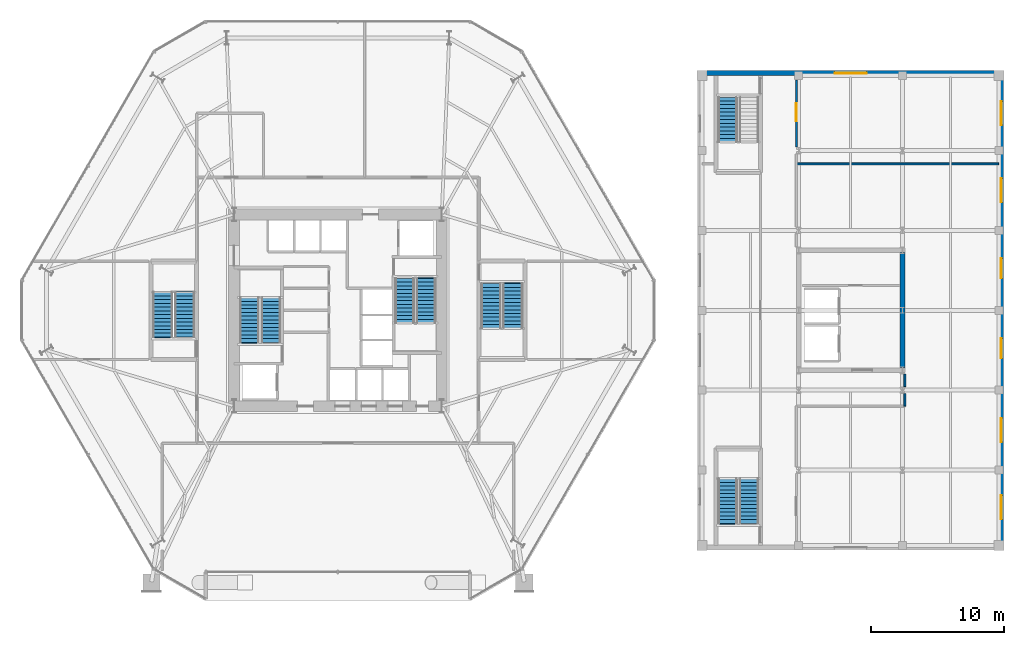
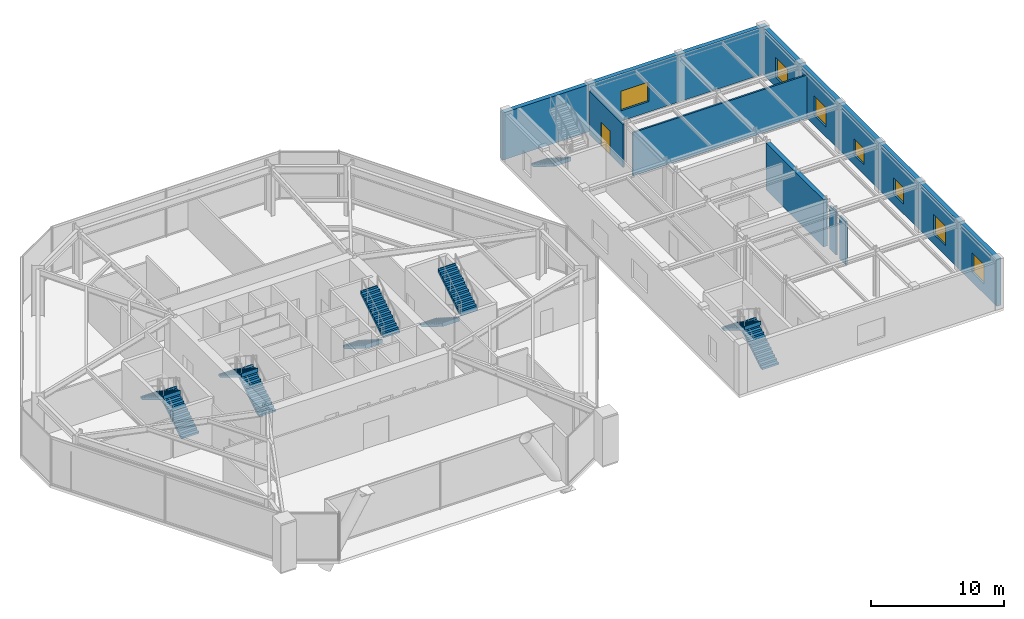
# One storey, part 18 of 23: 11 stair flights, 7 walls, 7 windows, 1 door, 8 openings, 6 elements without a shape of their own.
"""IFC4 building model written with IfcOpenShell, lengths in metres."""

from ifc_helpers import new_model, si_unit, direction, frame, frame_2d, origin, place, context, subcontext, project, spatial, polyline, rectangle, outline, extrude, material, layer, layer_set, type_object, element, fill, aggregate, save


model = new_model("IFC4")

# Units and contexts
model_context = context("Model", 3, precision=1e-05, world=origin(), true_north=direction((0.0, 1.0)))
body_context = subcontext(model_context, "Body", "Model", "MODEL_VIEW")
ifc_project = project(units=[si_unit("LENGTHUNIT", "METRE"), si_unit("AREAUNIT", "SQUARE_METRE"), si_unit("VOLUMEUNIT", "CUBIC_METRE"), si_unit("PLANEANGLEUNIT", "RADIAN"), si_unit("MASSUNIT", "GRAM", prefix="KILO")], contexts=[model_context])

# Site, building, storey
site_placement = place(None, origin())
site = spatial("IfcSite", under=ifc_project, at=site_placement, CompositionType="ELEMENT")
building_placement = place(site_placement, origin())
building = spatial("IfcBuilding", under=site, at=building_placement, Name="Kranzbogen Civic Tower", CompositionType="ELEMENT")
storey_placement = place(building_placement, frame((0.0, 0.0, 9.800048828125)))
storey = spatial("IfcBuildingStorey", under=building, at=storey_placement, Name="L02", CompositionType="ELEMENT", Elevation=9.800048828125)

# Wall, opening, door
ifc_material_1 = material(Name="Double-Stud Acoustic Gypsum Partition")
ifc_layer_1 = layer(ifc_material_1, 0.14990234375, Name="Double-Stud Acoustic Gypsum Partition")
ifc_layer_set_1 = layer_set([ifc_layer_1], Name="Double-Stud Acoustic Gypsum Partition")
wall_type_1 = type_object("IfcWallType", Name="Acoustic Corridor and Clinical Partition 150 mm", PredefinedType="PARTITIONING", material=ifc_layer_set_1)
wall_1_placement = place(storey_placement, frame((59.425048828125, 37.264892578125, 0.0), z_axis=(0.0, 0.0, 1.0), x_axis=(0.0, 1.0, 0.0)))
wall_1 = element("IfcWall", 1, at=wall_1_placement, inside=storey, type_object=wall_type_1, Name="L02 clinical corridor E2 wall part 3", PredefinedType="PARTITIONING", context=body_context, shape_type="SweptSolid", body=[
    extrude(rectangle(XDim=5.045166015625, YDim=0.14990234375, at=frame_2d((2.5224609375, 0.0))), origin(), (0.0, 0.0, 1.0), 3.97998046875),
])
opening_1_placement = place(wall_1_placement, frame((1.93603515625, 0.0, 0.0)))
opening_1 = element("IfcOpeningElement", 2, at=opening_1_placement, cuts=wall_1, Name="Opening D-CLN60", PredefinedType="OPENING", context=body_context, shape_type="SweptSolid", body=[
    extrude(rectangle(XDim=1.35009765625, YDim=2.199951171875, at=frame_2d((0.675048828125, 1.10009765625))), frame((0.0, 0.0849609375, 0.0), z_axis=(0.0, -1.0, 0.0), x_axis=(1.0, 0.0, 0.0)), (0.0, 0.0, 1.0), 0.169921875),
])
ifc_material_2 = material(Name="Pale Anodised Aluminium", Category="aluminium")
door_type = type_object("IfcDoorType", Name="Clinical Wide Leaf Door 1350x2200", OperationType="NOTDEFINED", PredefinedType="DOOR", material=ifc_material_2)
door_placement = place(opening_1_placement, origin())
door = element("IfcDoor", 3, at=door_placement, inside=storey, type_object=door_type, Name="L02 Imaging Control and Reporting Room door", OperationType="SINGLE_SWING_RIGHT", OverallHeight=2.199951171875, OverallWidth=1.35009765625, PredefinedType="DOOR", context=body_context, shape_type="SweptSolid", body=[
    extrude(rectangle(XDim=1.35009765625, YDim=2.199951171875, at=frame_2d((0.675048828125, 1.10009765625))), frame((0.0, 0.02490234375, 0.0), z_axis=(0.0, -1.0, 0.0), x_axis=(1.0, 0.0, 0.0)), (0.0, 0.0, 1.0), 0.050048828125),
])
fill(opening_1, door)

# Walls
wall_2_placement = place(storey_placement, frame((67.574951171875, 17.800048828125, 0.0), z_axis=(0.0, 0.0, 1.0), x_axis=(0.0, 1.0, 0.0)))
element("IfcWall", 4, at=wall_2_placement, inside=storey, type_object=wall_type_1, Name="L02 clinical partition 01 part 1", PredefinedType="PARTITIONING", context=body_context, shape_type="SweptSolid", body=[
    extrude(rectangle(XDim=0.93505859375, YDim=0.14990234375, at=frame_2d((0.467529296875, 0.0))), origin(), (0.0, 0.0, 1.0), 3.97998046875),
])
wall_3_placement = place(storey_placement, frame((67.574951171875, 19.264892578125, 0.0), z_axis=(0.0, 0.0, 1.0), x_axis=(0.0, 1.0, 0.0)))
element("IfcWall", 5, at=wall_3_placement, inside=storey, type_object=wall_type_1, Name="L02 clinical partition 01 part 2", PredefinedType="PARTITIONING", context=body_context, shape_type="SweptSolid", body=[
    extrude(rectangle(XDim=0.945068359375, YDim=0.14990234375, at=frame_2d((0.47265625, 0.0))), origin(), (0.0, 0.0, 1.0), 3.97998046875),
])
wall_4_placement = place(storey_placement, frame((59.455078125, 36.0, 0.0), z_axis=(0.0, 0.0, 1.0), x_axis=(1.0, 0.0, 0.0)))
element("IfcWall", 6, at=wall_4_placement, inside=storey, type_object=wall_type_1, Name="L02 clinical partition 04", PredefinedType="PARTITIONING", context=body_context, shape_type="SweptSolid", body=[
    extrude(rectangle(XDim=15.1650390625, YDim=0.14990234375, at=frame_2d((7.58251953125, 0.0))), origin(), (0.0, 0.0, 1.0), 3.97998046875),
])
ifc_material_3 = material(Name="Concrete C40/50", Category="concrete")
ifc_layer_2 = layer(ifc_material_3, 0.35009765625, Name="Concrete C40/50")
ifc_layer_set_2 = layer_set([ifc_layer_2], Name="Concrete C40/50")
wall_type_2 = type_object("IfcWallType", Name="Health Centre Core Shear Wall 350 mm", PredefinedType="SHEAR", material=ifc_layer_set_2)
wall_5_placement = place(storey_placement, frame((67.39990234375, 20.675048828125, 0.0), z_axis=(0.0, 0.0, 1.0), x_axis=(0.0, 1.0, 0.0)))
element("IfcWall", 7, at=wall_5_placement, inside=storey, type_object=wall_type_2, Name="L02 Health Centre core East shear wall", PredefinedType="SHEAR", context=body_context, shape_type="SweptSolid", body=[
    extrude(rectangle(XDim=8.64990234375, YDim=0.35009765625, at=frame_2d((4.324951171875, 0.0))), origin(), (0.0, 0.0, 1.0), 4.33984375),
])

# Wall, opening, window
ifc_material_4 = material(Name="Precast concrete C40/50", Category="concrete")
ifc_layer_3 = layer(ifc_material_4, 0.3798828125, Name="Precast concrete C40/50")
ifc_layer_set_3 = layer_set([ifc_layer_3], Name="Precast concrete C40/50")
wall_type_3 = type_object("IfcWallType", Name="Health Centre Insulated Precast Facade Wall 380 mm", PredefinedType="STANDARD", material=ifc_layer_set_3)
wall_6_placement = place(storey_placement, frame((52.0, 42.81005859375, 0.0), z_axis=(0.0, 0.0, 1.0), x_axis=(1.0, 0.0, 0.0)))
wall_6 = element("IfcWall", 8, at=wall_6_placement, inside=storey, type_object=wall_type_3, Name="L02 Health Centre North facade wall", PredefinedType="STANDARD", context=body_context, shape_type="SweptSolid", body=[
    extrude(rectangle(XDim=23.0, YDim=0.3798828125, at=frame_2d((11.5, 0.0))), origin(), (0.0, 0.0, 1.0), 4.33984375),
])
opening_2_placement = place(wall_6_placement, frame((10.300048828125, 0.0, 0.949951171875)))
opening_2 = element("IfcOpeningElement", 9, at=opening_2_placement, cuts=wall_6, Name="Opening W-HC24", PredefinedType="OPENING", context=body_context, shape_type="SweptSolid", body=[
    extrude(rectangle(XDim=2.39990234375, YDim=1.800048828125, at=frame_2d((1.199951171875, 0.89990234375))), frame((0.0, 0.199951171875, 0.0), z_axis=(0.0, -1.0, 0.0), x_axis=(1.0, 0.0, 0.0)), (0.0, 0.0, 1.0), 0.39990234375),
])
ifc_material_5 = material(Name="Low-E Triple Glazing Glass", Category="glass")
window_type_1 = type_object("IfcWindowType", Name="Wide Clinical Window 2400x1800", PartitioningType="TRIPLE_PANEL_VERTICAL", PredefinedType="WINDOW", material=ifc_material_5)
window_1_placement = place(opening_2_placement, origin())
window_1 = element("IfcWindow", 10, at=window_1_placement, inside=storey, type_object=window_type_1, Name="L02 Health Centre North window", OverallHeight=1.800048828125, OverallWidth=2.39990234375, PartitioningType="TRIPLE_PANEL_VERTICAL", PredefinedType="WINDOW", context=body_context, shape_type="SweptSolid", body=[
    extrude(rectangle(XDim=2.39990234375, YDim=1.800048828125, at=frame_2d((1.199951171875, 0.89990234375))), frame((0.0, 0.030029296875, 0.0), z_axis=(0.0, -1.0, 0.0), x_axis=(1.0, 0.0, 0.0)), (0.0, 0.0, 1.0), 0.06005859375),
])
fill(opening_2, window_1)

# Wall, openings, windows
wall_7_placement = place(storey_placement, frame((74.81005859375, 42.6201171875, 0.0), z_axis=(0.0, 0.0, 1.0), x_axis=(0.0, -1.0, 0.0)))
wall_7 = element("IfcWall", 11, at=wall_7_placement, inside=storey, type_object=wall_type_3, Name="L02 Health Centre East facade wall", PredefinedType="STANDARD", context=body_context, shape_type="SweptSolid", body=[
    extrude(rectangle(XDim=35.240234375, YDim=0.3798828125, at=frame_2d((17.6201171875, 0.0))), origin(), (0.0, 0.0, 1.0), 4.33984375),
])
opening_3_placement = place(wall_7_placement, frame((31.52001953125, 0.0, 0.89990234375)))
opening_3 = element("IfcOpeningElement", 12, at=opening_3_placement, cuts=wall_7, Name="Opening W-HC18", PredefinedType="OPENING", context=body_context, shape_type="SweptSolid", body=[
    extrude(rectangle(XDim=1.800048828125, YDim=1.800048828125, at=frame_2d((0.89990234375, 0.89990234375))), frame((0.0, 0.199951171875, 0.0), z_axis=(0.0, -1.0, 0.0), x_axis=(1.0, 0.0, 0.0)), (0.0, 0.0, 1.0), 0.39990234375),
])
opening_4_placement = place(wall_7_placement, frame((25.719970703125, 0.0, 0.89990234375)))
opening_4 = element("IfcOpeningElement", 13, at=opening_4_placement, cuts=wall_7, Name="Opening W-HC18", PredefinedType="OPENING", context=body_context, shape_type="SweptSolid", body=[
    extrude(rectangle(XDim=1.800048828125, YDim=1.800048828125, at=frame_2d((0.89990234375, 0.89990234375))), frame((0.0, 0.199951171875, 0.0), z_axis=(0.0, -1.0, 0.0), x_axis=(1.0, 0.0, 0.0)), (0.0, 0.0, 1.0), 0.39990234375),
])
opening_5_placement = place(wall_7_placement, frame((19.719970703125, 0.0, 0.89990234375)))
opening_5 = element("IfcOpeningElement", 14, at=opening_5_placement, cuts=wall_7, Name="Opening W-HC15", PredefinedType="OPENING", context=body_context, shape_type="SweptSolid", body=[
    extrude(rectangle(XDim=1.5, YDim=1.5, at=frame_2d((0.75, 0.75))), frame((0.0, 0.199951171875, 0.0), z_axis=(0.0, -1.0, 0.0), x_axis=(1.0, 0.0, 0.0)), (0.0, 0.0, 1.0), 0.39990234375),
])
opening_6_placement = place(wall_7_placement, frame((13.719970703125, 0.0, 0.89990234375)))
opening_6 = element("IfcOpeningElement", 15, at=opening_6_placement, cuts=wall_7, Name="Opening W-HC15", PredefinedType="OPENING", context=body_context, shape_type="SweptSolid", body=[
    extrude(rectangle(XDim=1.5, YDim=1.5, at=frame_2d((0.75, 0.75))), frame((0.0, 0.199951171875, 0.0), z_axis=(0.0, -1.0, 0.0), x_axis=(1.0, 0.0, 0.0)), (0.0, 0.0, 1.0), 0.39990234375),
])
opening_7_placement = place(wall_7_placement, frame((7.719970703125, 0.0, 0.89990234375)))
opening_7 = element("IfcOpeningElement", 16, at=opening_7_placement, cuts=wall_7, Name="Opening W-HC18", PredefinedType="OPENING", context=body_context, shape_type="SweptSolid", body=[
    extrude(rectangle(XDim=1.800048828125, YDim=1.800048828125, at=frame_2d((0.89990234375, 0.89990234375))), frame((0.0, 0.199951171875, 0.0), z_axis=(0.0, -1.0, 0.0), x_axis=(1.0, 0.0, 0.0)), (0.0, 0.0, 1.0), 0.39990234375),
])
opening_8_placement = place(wall_7_placement, frame((1.919921875, 0.0, 0.89990234375)))
opening_8 = element("IfcOpeningElement", 17, at=opening_8_placement, cuts=wall_7, Name="Opening W-HC18", PredefinedType="OPENING", context=body_context, shape_type="SweptSolid", body=[
    extrude(rectangle(XDim=1.800048828125, YDim=1.800048828125, at=frame_2d((0.89990234375, 0.89990234375))), frame((0.0, 0.199951171875, 0.0), z_axis=(0.0, -1.0, 0.0), x_axis=(1.0, 0.0, 0.0)), (0.0, 0.0, 1.0), 0.39990234375),
])
window_type_2 = type_object("IfcWindowType", Name="Clinical Triple-Glazed Window 1800x1800", PartitioningType="DOUBLE_PANEL_VERTICAL", PredefinedType="WINDOW", material=ifc_material_5)
window_2_placement = place(opening_3_placement, origin())
window_2 = element("IfcWindow", 18, at=window_2_placement, inside=storey, type_object=window_type_2, Name="L02 Health Centre East bay 1 window", OverallHeight=1.800048828125, OverallWidth=1.800048828125, PartitioningType="DOUBLE_PANEL_VERTICAL", PredefinedType="WINDOW", context=body_context, shape_type="SweptSolid", body=[
    extrude(rectangle(XDim=1.800048828125, YDim=1.800048828125, at=frame_2d((0.89990234375, 0.89990234375))), frame((0.0, 0.030029296875, 0.0), z_axis=(0.0, -1.0, 0.0), x_axis=(1.0, 0.0, 0.0)), (0.0, 0.0, 1.0), 0.06005859375),
])
fill(opening_3, window_2)
window_3_placement = place(opening_4_placement, origin())
window_3 = element("IfcWindow", 19, at=window_3_placement, inside=storey, type_object=window_type_2, Name="L02 Health Centre East bay 2 window", OverallHeight=1.800048828125, OverallWidth=1.800048828125, PartitioningType="DOUBLE_PANEL_VERTICAL", PredefinedType="WINDOW", context=body_context, shape_type="SweptSolid", body=[
    extrude(rectangle(XDim=1.800048828125, YDim=1.800048828125, at=frame_2d((0.89990234375, 0.89990234375))), frame((0.0, 0.030029296875, 0.0), z_axis=(0.0, -1.0, 0.0), x_axis=(1.0, 0.0, 0.0)), (0.0, 0.0, 1.0), 0.06005859375),
])
fill(opening_4, window_3)
window_4_placement = place(opening_7_placement, origin())
window_4 = element("IfcWindow", 20, at=window_4_placement, inside=storey, type_object=window_type_2, Name="L02 Health Centre East bay 5 window", OverallHeight=1.800048828125, OverallWidth=1.800048828125, PartitioningType="DOUBLE_PANEL_VERTICAL", PredefinedType="WINDOW", context=body_context, shape_type="SweptSolid", body=[
    extrude(rectangle(XDim=1.800048828125, YDim=1.800048828125, at=frame_2d((0.89990234375, 0.89990234375))), frame((0.0, 0.030029296875, 0.0), z_axis=(0.0, -1.0, 0.0), x_axis=(1.0, 0.0, 0.0)), (0.0, 0.0, 1.0), 0.06005859375),
])
fill(opening_7, window_4)
window_5_placement = place(opening_8_placement, origin())
window_5 = element("IfcWindow", 21, at=window_5_placement, inside=storey, type_object=window_type_2, Name="L02 Health Centre East bay 6 window", OverallHeight=1.800048828125, OverallWidth=1.800048828125, PartitioningType="DOUBLE_PANEL_VERTICAL", PredefinedType="WINDOW", context=body_context, shape_type="SweptSolid", body=[
    extrude(rectangle(XDim=1.800048828125, YDim=1.800048828125, at=frame_2d((0.89990234375, 0.89990234375))), frame((0.0, 0.030029296875, 0.0), z_axis=(0.0, -1.0, 0.0), x_axis=(1.0, 0.0, 0.0)), (0.0, 0.0, 1.0), 0.06005859375),
])
fill(opening_8, window_5)
window_type_3 = type_object("IfcWindowType", Name="Diagnostic Support Window 1500x1500", PartitioningType="SINGLE_PANEL", PredefinedType="WINDOW", material=ifc_material_5)
window_6_placement = place(opening_5_placement, origin())
window_6 = element("IfcWindow", 22, at=window_6_placement, inside=storey, type_object=window_type_3, Name="L02 Health Centre East bay 3 window", OverallHeight=1.5, OverallWidth=1.5, PartitioningType="SINGLE_PANEL", PredefinedType="WINDOW", context=body_context, shape_type="SweptSolid", body=[
    extrude(rectangle(XDim=1.5, YDim=1.5, at=frame_2d((0.75, 0.75))), frame((0.0, 0.030029296875, 0.0), z_axis=(0.0, -1.0, 0.0), x_axis=(1.0, 0.0, 0.0)), (0.0, 0.0, 1.0), 0.06005859375),
])
fill(opening_5, window_6)
window_7_placement = place(opening_6_placement, origin())
window_7 = element("IfcWindow", 23, at=window_7_placement, inside=storey, type_object=window_type_3, Name="L02 Health Centre East bay 4 window", OverallHeight=1.5, OverallWidth=1.5, PartitioningType="SINGLE_PANEL", PredefinedType="WINDOW", context=body_context, shape_type="SweptSolid", body=[
    extrude(rectangle(XDim=1.5, YDim=1.5, at=frame_2d((0.75, 0.75))), frame((0.0, 0.030029296875, 0.0), z_axis=(0.0, -1.0, 0.0), x_axis=(1.0, 0.0, 0.0)), (0.0, 0.0, 1.0), 0.06005859375),
])
fill(opening_6, window_7)

# Stair, stair flights
stair_type_1 = type_object("IfcStairType", Name="Tower Core Pressurized Dogleg Stair 1450", PredefinedType="HALF_TURN_STAIR", material=ifc_material_4)
stair_1_placement = place(storey_placement, origin())
stair_1 = element("IfcStair", 24, at=stair_1_placement, inside=storey, type_object=stair_type_1, Name="L02 Tower Core Pressurized Stair 1", PredefinedType="HALF_TURN_STAIR")
stair_flight_type = type_object("IfcStairFlightType", Name="Precast Concrete Stair Flight R177", PredefinedType="STRAIGHT", material=ifc_material_4)
stair_flight_1_placement = place(storey_placement, frame((19.97509765625, 22.60009765625, 0.0), z_axis=(0.0, 0.0, 1.0), x_axis=(0.0, 1.0, 0.0)))
stair_flight_1 = element("IfcStairFlight", 25, at=stair_flight_1_placement, type_object=stair_flight_type, Name="ST-T1 flight 1", NumberOfRisers=13, NumberOfTreads=12, PredefinedType="STRAIGHT", RiserHeight=0.176923077, TreadLength=0.28, context=body_context, shape_type="SweptSolid", body=[
    extrude(outline(polyline([(0.0, 0.0), (0.0, 0.177001953125), (0.280029296875, 0.177001953125), (0.280029296875, 0.353759765625), (0.56005859375, 0.353759765625), (0.56005859375, 0.53076171875), (0.840087890625, 0.53076171875), (0.840087890625, 0.707763671875), (1.1201171875, 0.707763671875), (1.1201171875, 0.884521484375), (1.39990234375, 0.884521484375), (1.39990234375, 1.0615234375), (1.679931640625, 1.0615234375), (1.679931640625, 1.238525390625), (1.9599609375, 1.238525390625), (1.9599609375, 1.415283203125), (2.239990234375, 1.415283203125), (2.239990234375, 1.59228515625), (2.52001953125, 1.59228515625), (2.52001953125, 1.769287109375), (2.800048828125, 1.769287109375), (2.800048828125, 1.946044921875), (3.080078125, 1.946044921875), (3.080078125, 2.123046875), (3.360107421875, 2.123046875), (3.360107421875, 2.300048828125), (3.440185546875, 2.300048828125), (3.440185546875, 1.94580078125), (0.280517578125, 0.0), (0.0, 0.0)])), frame((0.0, 0.72509765625, 0.0), z_axis=(0.0, -1.0, 0.0), x_axis=(1.0, 0.0, 0.0)), (0.0, 0.0, 1.0), 1.449951171875),
])
stair_flight_2_placement = place(storey_placement, frame((18.375, 25.9599609375, 2.300048828125), z_axis=(0.0, 0.0, 1.0), x_axis=(0.0, -1.0, 0.0)))
stair_flight_2 = element("IfcStairFlight", 26, at=stair_flight_2_placement, type_object=stair_flight_type, Name="ST-T1 flight 2", NumberOfRisers=13, NumberOfTreads=12, PredefinedType="STRAIGHT", RiserHeight=0.176923077, TreadLength=0.28, context=body_context, shape_type="SweptSolid", body=[
    extrude(outline(polyline([(0.0, 0.0), (0.0, 0.177001953125), (0.280029296875, 0.177001953125), (0.280029296875, 0.353759765625), (0.56005859375, 0.353759765625), (0.56005859375, 0.53076171875), (0.840087890625, 0.53076171875), (0.840087890625, 0.707763671875), (1.1201171875, 0.707763671875), (1.1201171875, 0.884521484375), (1.39990234375, 0.884521484375), (1.39990234375, 1.0615234375), (1.679931640625, 1.0615234375), (1.679931640625, 1.238525390625), (1.9599609375, 1.238525390625), (1.9599609375, 1.415283203125), (2.239990234375, 1.415283203125), (2.239990234375, 1.59228515625), (2.52001953125, 1.59228515625), (2.52001953125, 1.769287109375), (2.800048828125, 1.769287109375), (2.800048828125, 1.946044921875), (3.080078125, 1.946044921875), (3.080078125, 2.123046875), (3.360107421875, 2.123046875), (3.360107421875, 2.300048828125), (3.440185546875, 2.300048828125), (3.440185546875, 1.94580078125), (0.280517578125, 0.0), (0.0, 0.0)])), frame((0.0, 0.72509765625, 0.0), z_axis=(0.0, -1.0, 0.0), x_axis=(1.0, 0.0, 0.0)), (0.0, 0.0, 1.0), 1.449951171875),
])
aggregate(stair_1, [stair_flight_1, stair_flight_2])

stair_type_2 = type_object("IfcStairType", Name="Tower Core Secondary Dogleg Stair 1450", PredefinedType="HALF_TURN_STAIR", material=ifc_material_4)
stair_2_placement = place(storey_placement, origin())
stair_2 = element("IfcStair", 27, at=stair_2_placement, inside=storey, type_object=stair_type_2, Name="L02 Tower Core Pressurized Stair 2", PredefinedType="HALF_TURN_STAIR")
stair_flight_3_placement = place(storey_placement, frame((30.02490234375, 27.39990234375, 0.0), z_axis=(0.0, 0.0, 1.0), x_axis=(0.0, -1.0, 0.0)))
stair_flight_3 = element("IfcStairFlight", 28, at=stair_flight_3_placement, type_object=stair_flight_type, Name="ST-T2 flight 1", NumberOfRisers=13, NumberOfTreads=12, PredefinedType="STRAIGHT", RiserHeight=0.176923077, TreadLength=0.28, context=body_context, shape_type="SweptSolid", body=[
    extrude(outline(polyline([(0.0, 0.0), (0.0, 0.177001953125), (0.280029296875, 0.177001953125), (0.280029296875, 0.353759765625), (0.56005859375, 0.353759765625), (0.56005859375, 0.53076171875), (0.840087890625, 0.53076171875), (0.840087890625, 0.707763671875), (1.1201171875, 0.707763671875), (1.1201171875, 0.884521484375), (1.39990234375, 0.884521484375), (1.39990234375, 1.0615234375), (1.679931640625, 1.0615234375), (1.679931640625, 1.238525390625), (1.9599609375, 1.238525390625), (1.9599609375, 1.415283203125), (2.239990234375, 1.415283203125), (2.239990234375, 1.59228515625), (2.52001953125, 1.59228515625), (2.52001953125, 1.769287109375), (2.800048828125, 1.769287109375), (2.800048828125, 1.946044921875), (3.080078125, 1.946044921875), (3.080078125, 2.123046875), (3.360107421875, 2.123046875), (3.360107421875, 2.300048828125), (3.440185546875, 2.300048828125), (3.440185546875, 1.94580078125), (0.280517578125, 0.0), (0.0, 0.0)])), frame((0.0, 0.72509765625, 0.0), z_axis=(0.0, -1.0, 0.0), x_axis=(1.0, 0.0, 0.0)), (0.0, 0.0, 1.0), 1.449951171875),
])
stair_flight_4_placement = place(storey_placement, frame((31.625, 24.0400390625, 2.300048828125), z_axis=(0.0, 0.0, 1.0), x_axis=(0.0, 1.0, 0.0)))
stair_flight_4 = element("IfcStairFlight", 29, at=stair_flight_4_placement, type_object=stair_flight_type, Name="ST-T2 flight 2", NumberOfRisers=13, NumberOfTreads=12, PredefinedType="STRAIGHT", RiserHeight=0.176923077, TreadLength=0.28, context=body_context, shape_type="SweptSolid", body=[
    extrude(outline(polyline([(0.0, 0.0), (0.0, 0.177001953125), (0.280029296875, 0.177001953125), (0.280029296875, 0.353759765625), (0.56005859375, 0.353759765625), (0.56005859375, 0.53076171875), (0.840087890625, 0.53076171875), (0.840087890625, 0.707763671875), (1.1201171875, 0.707763671875), (1.1201171875, 0.884521484375), (1.39990234375, 0.884521484375), (1.39990234375, 1.0615234375), (1.679931640625, 1.0615234375), (1.679931640625, 1.238525390625), (1.9599609375, 1.238525390625), (1.9599609375, 1.415283203125), (2.239990234375, 1.415283203125), (2.239990234375, 1.59228515625), (2.52001953125, 1.59228515625), (2.52001953125, 1.769287109375), (2.800048828125, 1.769287109375), (2.800048828125, 1.946044921875), (3.080078125, 1.946044921875), (3.080078125, 2.123046875), (3.360107421875, 2.123046875), (3.360107421875, 2.300048828125), (3.440185546875, 2.300048828125), (3.440185546875, 1.94580078125), (0.280517578125, 0.0), (0.0, 0.0)])), frame((0.0, 0.72509765625, 0.0), z_axis=(0.0, -1.0, 0.0), x_axis=(1.0, 0.0, 0.0)), (0.0, 0.0, 1.0), 1.449951171875),
])
aggregate(stair_2, [stair_flight_3, stair_flight_4])

stair_type_3 = type_object("IfcStairType", Name="Podium Assembly Dogleg Stair 1500", PredefinedType="HALF_TURN_STAIR", material=ifc_material_4)
stair_3_placement = place(storey_placement, origin())
stair_3 = element("IfcStair", 30, at=stair_3_placement, inside=storey, type_object=stair_type_3, Name="L02 Podium Assembly Stair West", PredefinedType="HALF_TURN_STAIR")
stair_flight_5_placement = place(storey_placement, frame((13.5, 23.0, 0.0), z_axis=(0.0, 0.0, 1.0), x_axis=(0.0, 1.0, 0.0)))
stair_flight_5 = element("IfcStairFlight", 31, at=stair_flight_5_placement, type_object=stair_flight_type, Name="ST-P1 flight 1", NumberOfRisers=13, NumberOfTreads=12, PredefinedType="STRAIGHT", RiserHeight=0.176923077, TreadLength=0.28, context=body_context, shape_type="SweptSolid", body=[
    extrude(outline(polyline([(0.0, 0.0), (0.0, 0.177001953125), (0.280029296875, 0.177001953125), (0.280029296875, 0.353759765625), (0.56005859375, 0.353759765625), (0.56005859375, 0.53076171875), (0.840087890625, 0.53076171875), (0.840087890625, 0.707763671875), (1.1201171875, 0.707763671875), (1.1201171875, 0.884521484375), (1.39990234375, 0.884521484375), (1.39990234375, 1.0615234375), (1.679931640625, 1.0615234375), (1.679931640625, 1.238525390625), (1.9599609375, 1.238525390625), (1.9599609375, 1.415283203125), (2.239990234375, 1.415283203125), (2.239990234375, 1.59228515625), (2.52001953125, 1.59228515625), (2.52001953125, 1.769287109375), (2.800048828125, 1.769287109375), (2.800048828125, 1.946044921875), (3.080078125, 1.946044921875), (3.080078125, 2.123046875), (3.360107421875, 2.123046875), (3.360107421875, 2.300048828125), (3.440185546875, 2.300048828125), (3.440185546875, 1.94580078125), (0.280517578125, 0.0), (0.0, 0.0)])), frame((0.0, 0.75, 0.0), z_axis=(0.0, -1.0, 0.0), x_axis=(1.0, 0.0, 0.0)), (0.0, 0.0, 1.0), 1.5),
])
stair_flight_6_placement = place(storey_placement, frame((11.85009765625, 26.360107421875, 2.300048828125), z_axis=(0.0, 0.0, 1.0), x_axis=(0.0, -1.0, 0.0)))
stair_flight_6 = element("IfcStairFlight", 32, at=stair_flight_6_placement, type_object=stair_flight_type, Name="ST-P1 flight 2", NumberOfRisers=13, NumberOfTreads=12, PredefinedType="STRAIGHT", RiserHeight=0.176923077, TreadLength=0.28, context=body_context, shape_type="SweptSolid", body=[
    extrude(outline(polyline([(0.0, 0.0), (0.0, 0.177001953125), (0.280029296875, 0.177001953125), (0.280029296875, 0.353759765625), (0.56005859375, 0.353759765625), (0.56005859375, 0.53076171875), (0.840087890625, 0.53076171875), (0.840087890625, 0.707763671875), (1.1201171875, 0.707763671875), (1.1201171875, 0.884521484375), (1.39990234375, 0.884521484375), (1.39990234375, 1.0615234375), (1.679931640625, 1.0615234375), (1.679931640625, 1.238525390625), (1.9599609375, 1.238525390625), (1.9599609375, 1.415283203125), (2.239990234375, 1.415283203125), (2.239990234375, 1.59228515625), (2.52001953125, 1.59228515625), (2.52001953125, 1.769287109375), (2.800048828125, 1.769287109375), (2.800048828125, 1.946044921875), (3.080078125, 1.946044921875), (3.080078125, 2.123046875), (3.360107421875, 2.123046875), (3.360107421875, 2.300048828125), (3.440185546875, 2.300048828125), (3.440185546875, 1.94580078125), (0.280517578125, 0.0), (0.0, 0.0)])), frame((0.0, 0.75, 0.0), z_axis=(0.0, -1.0, 0.0), x_axis=(1.0, 0.0, 0.0)), (0.0, 0.0, 1.0), 1.5),
])
aggregate(stair_3, [stair_flight_5, stair_flight_6])

stair_4_placement = place(storey_placement, origin())
stair_4 = element("IfcStair", 33, at=stair_4_placement, inside=storey, type_object=stair_type_3, Name="L02 Podium Assembly Stair East", PredefinedType="HALF_TURN_STAIR")
stair_flight_7_placement = place(storey_placement, frame((36.5, 27.0, 0.0), z_axis=(0.0, 0.0, 1.0), x_axis=(0.0, -1.0, 0.0)))
stair_flight_7 = element("IfcStairFlight", 34, at=stair_flight_7_placement, type_object=stair_flight_type, Name="ST-P2 flight 1", NumberOfRisers=13, NumberOfTreads=12, PredefinedType="STRAIGHT", RiserHeight=0.176923077, TreadLength=0.28, context=body_context, shape_type="SweptSolid", body=[
    extrude(outline(polyline([(0.0, 0.0), (0.0, 0.177001953125), (0.280029296875, 0.177001953125), (0.280029296875, 0.353759765625), (0.56005859375, 0.353759765625), (0.56005859375, 0.53076171875), (0.840087890625, 0.53076171875), (0.840087890625, 0.707763671875), (1.1201171875, 0.707763671875), (1.1201171875, 0.884521484375), (1.39990234375, 0.884521484375), (1.39990234375, 1.0615234375), (1.679931640625, 1.0615234375), (1.679931640625, 1.238525390625), (1.9599609375, 1.238525390625), (1.9599609375, 1.415283203125), (2.239990234375, 1.415283203125), (2.239990234375, 1.59228515625), (2.52001953125, 1.59228515625), (2.52001953125, 1.769287109375), (2.800048828125, 1.769287109375), (2.800048828125, 1.946044921875), (3.080078125, 1.946044921875), (3.080078125, 2.123046875), (3.360107421875, 2.123046875), (3.360107421875, 2.300048828125), (3.440185546875, 2.300048828125), (3.440185546875, 1.94580078125), (0.280517578125, 0.0), (0.0, 0.0)])), frame((0.0, 0.75, 0.0), z_axis=(0.0, -1.0, 0.0), x_axis=(1.0, 0.0, 0.0)), (0.0, 0.0, 1.0), 1.5),
])
stair_flight_8_placement = place(storey_placement, frame((38.14990234375, 23.639892578125, 2.300048828125), z_axis=(0.0, 0.0, 1.0), x_axis=(0.0, 1.0, 0.0)))
stair_flight_8 = element("IfcStairFlight", 35, at=stair_flight_8_placement, type_object=stair_flight_type, Name="ST-P2 flight 2", NumberOfRisers=13, NumberOfTreads=12, PredefinedType="STRAIGHT", RiserHeight=0.176923077, TreadLength=0.28, context=body_context, shape_type="SweptSolid", body=[
    extrude(outline(polyline([(0.0, 0.0), (0.0, 0.177001953125), (0.280029296875, 0.177001953125), (0.280029296875, 0.353759765625), (0.56005859375, 0.353759765625), (0.56005859375, 0.53076171875), (0.840087890625, 0.53076171875), (0.840087890625, 0.707763671875), (1.1201171875, 0.707763671875), (1.1201171875, 0.884521484375), (1.39990234375, 0.884521484375), (1.39990234375, 1.0615234375), (1.679931640625, 1.0615234375), (1.679931640625, 1.238525390625), (1.9599609375, 1.238525390625), (1.9599609375, 1.415283203125), (2.239990234375, 1.415283203125), (2.239990234375, 1.59228515625), (2.52001953125, 1.59228515625), (2.52001953125, 1.769287109375), (2.800048828125, 1.769287109375), (2.800048828125, 1.946044921875), (3.080078125, 1.946044921875), (3.080078125, 2.123046875), (3.360107421875, 2.123046875), (3.360107421875, 2.300048828125), (3.440185546875, 2.300048828125), (3.440185546875, 1.94580078125), (0.280517578125, 0.0), (0.0, 0.0)])), frame((0.0, 0.75, 0.0), z_axis=(0.0, -1.0, 0.0), x_axis=(1.0, 0.0, 0.0)), (0.0, 0.0, 1.0), 1.5),
])
aggregate(stair_4, [stair_flight_7, stair_flight_8])

stair_type_4 = type_object("IfcStairType", Name="Health Centre Escape Dogleg Stair 1450", PredefinedType="HALF_TURN_STAIR", material=ifc_material_4)
stair_5_placement = place(storey_placement, origin())
stair_5 = element("IfcStair", 36, at=stair_5_placement, inside=storey, type_object=stair_type_4, Name="L02 Health Centre Escape Stair 1", PredefinedType="HALF_TURN_STAIR")
stair_flight_9_placement = place(storey_placement, frame((55.875, 9.0, 0.0), z_axis=(0.0, 0.0, 1.0), x_axis=(0.0, 1.0, 0.0)))
stair_flight_9 = element("IfcStairFlight", 37, at=stair_flight_9_placement, type_object=stair_flight_type, Name="ST-H1 flight 1", NumberOfRisers=13, NumberOfTreads=12, PredefinedType="STRAIGHT", RiserHeight=0.176923077, TreadLength=0.28, context=body_context, shape_type="SweptSolid", body=[
    extrude(outline(polyline([(0.0, 0.0), (0.0, 0.177001953125), (0.280029296875, 0.177001953125), (0.280029296875, 0.353759765625), (0.56005859375, 0.353759765625), (0.56005859375, 0.53076171875), (0.840087890625, 0.53076171875), (0.840087890625, 0.707763671875), (1.1201171875, 0.707763671875), (1.1201171875, 0.884521484375), (1.39990234375, 0.884521484375), (1.39990234375, 1.0615234375), (1.679931640625, 1.0615234375), (1.679931640625, 1.238525390625), (1.9599609375, 1.238525390625), (1.9599609375, 1.415283203125), (2.239990234375, 1.415283203125), (2.239990234375, 1.59228515625), (2.52001953125, 1.59228515625), (2.52001953125, 1.769287109375), (2.800048828125, 1.769287109375), (2.800048828125, 1.946044921875), (3.080078125, 1.946044921875), (3.080078125, 2.123046875), (3.360107421875, 2.123046875), (3.360107421875, 2.300048828125), (3.440185546875, 2.300048828125), (3.440185546875, 1.94580078125), (0.280517578125, 0.0), (0.0, 0.0)])), frame((0.0, 0.72509765625, 0.0), z_axis=(0.0, -1.0, 0.0), x_axis=(1.0, 0.0, 0.0)), (0.0, 0.0, 1.0), 1.449951171875),
])
stair_flight_10_placement = place(storey_placement, frame((54.27490234375, 12.360107421875, 2.300048828125), z_axis=(0.0, 0.0, 1.0), x_axis=(0.0, -1.0, 0.0)))
stair_flight_10 = element("IfcStairFlight", 38, at=stair_flight_10_placement, type_object=stair_flight_type, Name="ST-H1 flight 2", NumberOfRisers=13, NumberOfTreads=12, PredefinedType="STRAIGHT", RiserHeight=0.176923077, TreadLength=0.28, context=body_context, shape_type="SweptSolid", body=[
    extrude(outline(polyline([(0.0, 0.0), (0.0, 0.177001953125), (0.280029296875, 0.177001953125), (0.280029296875, 0.353759765625), (0.56005859375, 0.353759765625), (0.56005859375, 0.53076171875), (0.840087890625, 0.53076171875), (0.840087890625, 0.707763671875), (1.1201171875, 0.707763671875), (1.1201171875, 0.884521484375), (1.39990234375, 0.884521484375), (1.39990234375, 1.0615234375), (1.679931640625, 1.0615234375), (1.679931640625, 1.238525390625), (1.9599609375, 1.238525390625), (1.9599609375, 1.415283203125), (2.239990234375, 1.415283203125), (2.239990234375, 1.59228515625), (2.52001953125, 1.59228515625), (2.52001953125, 1.769287109375), (2.800048828125, 1.769287109375), (2.800048828125, 1.946044921875), (3.080078125, 1.946044921875), (3.080078125, 2.123046875), (3.360107421875, 2.123046875), (3.360107421875, 2.300048828125), (3.440185546875, 2.300048828125), (3.440185546875, 1.94580078125), (0.280517578125, 0.0), (0.0, 0.0)])), frame((0.0, 0.72509765625, 0.0), z_axis=(0.0, -1.0, 0.0), x_axis=(1.0, 0.0, 0.0)), (0.0, 0.0, 1.0), 1.449951171875),
])
aggregate(stair_5, [stair_flight_9, stair_flight_10])

# Stair, stair flight
stair_6_placement = place(storey_placement, origin())
stair_6 = element("IfcStair", 39, at=stair_6_placement, inside=storey, type_object=stair_type_4, Name="L02 Health Centre Escape Stair 2", PredefinedType="HALF_TURN_STAIR")
stair_flight_11_placement = place(storey_placement, frame((54.27490234375, 41.0, 0.0), z_axis=(0.0, 0.0, 1.0), x_axis=(0.0, -1.0, 0.0)))
stair_flight_11 = element("IfcStairFlight", 40, at=stair_flight_11_placement, type_object=stair_flight_type, Name="ST-H2 flight 1", NumberOfRisers=13, NumberOfTreads=12, PredefinedType="STRAIGHT", RiserHeight=0.176923077, TreadLength=0.28, context=body_context, shape_type="SweptSolid", body=[
    extrude(outline(polyline([(0.0, 0.0), (0.0, 0.177001953125), (0.280029296875, 0.177001953125), (0.280029296875, 0.353759765625), (0.56005859375, 0.353759765625), (0.56005859375, 0.53076171875), (0.840087890625, 0.53076171875), (0.840087890625, 0.707763671875), (1.1201171875, 0.707763671875), (1.1201171875, 0.884521484375), (1.39990234375, 0.884521484375), (1.39990234375, 1.0615234375), (1.679931640625, 1.0615234375), (1.679931640625, 1.238525390625), (1.9599609375, 1.238525390625), (1.9599609375, 1.415283203125), (2.239990234375, 1.415283203125), (2.239990234375, 1.59228515625), (2.52001953125, 1.59228515625), (2.52001953125, 1.769287109375), (2.800048828125, 1.769287109375), (2.800048828125, 1.946044921875), (3.080078125, 1.946044921875), (3.080078125, 2.123046875), (3.360107421875, 2.123046875), (3.360107421875, 2.300048828125), (3.440185546875, 2.300048828125), (3.440185546875, 1.94580078125), (0.280517578125, 0.0), (0.0, 0.0)])), frame((0.0, 0.72509765625, 0.0), z_axis=(0.0, -1.0, 0.0), x_axis=(1.0, 0.0, 0.0)), (0.0, 0.0, 1.0), 1.449951171875),
])
aggregate(stair_6, [stair_flight_11])

save(model, "model.ifc")
